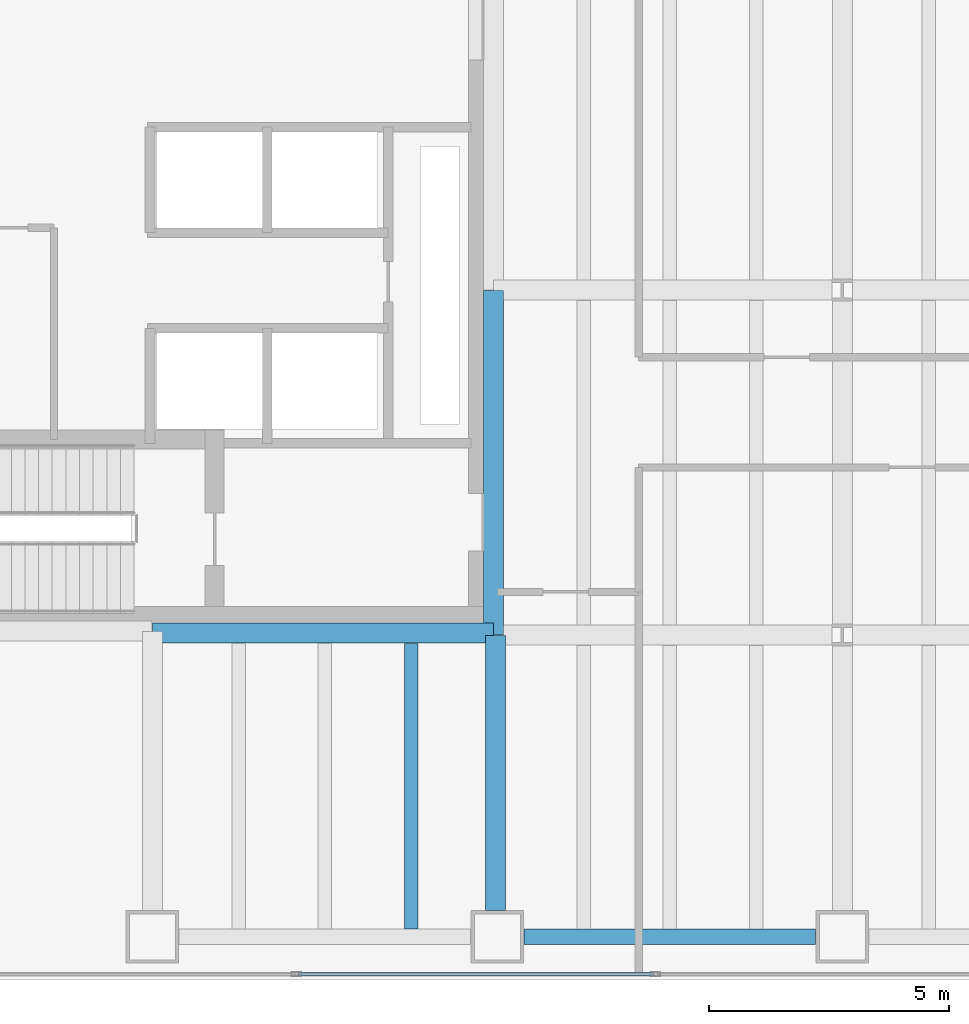
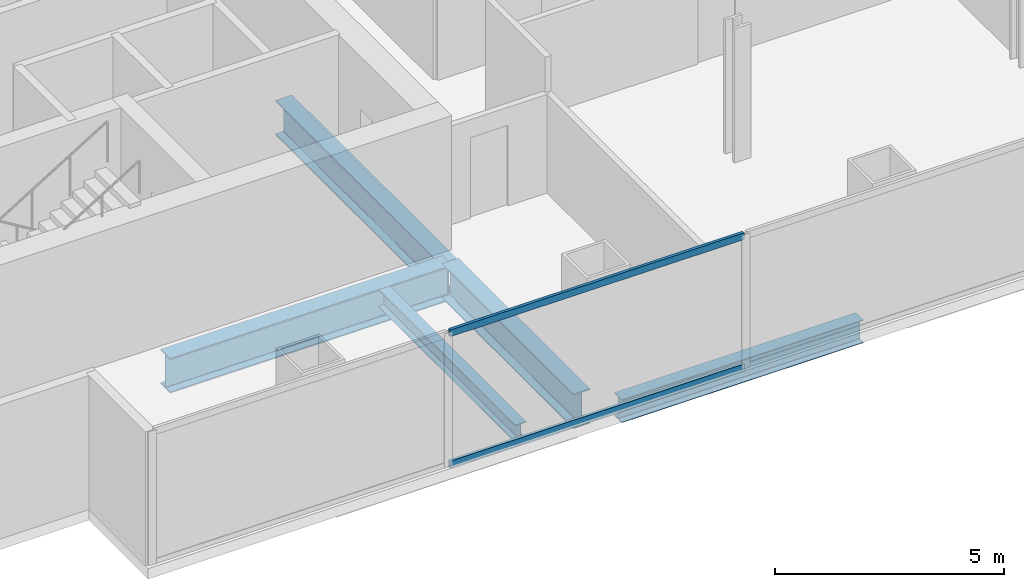
# One storey, part 3 of 23: 5 beams, 2 members, 1 element without a shape of its own.
"""IFC4 building model written with IfcOpenShell, lengths in metres."""

from ifc_helpers import new_model, si_unit, direction, frame, origin, origin_2d, place, context, subcontext, project, spatial, hollow_rectangle, i_section, extrude, material, material_profile, profile_set, type_object, element, aggregate, save


model = new_model("IFC4")

# Units and contexts
model_context = context("Model", 3, precision=1e-05, world=origin(), true_north=direction((0.0, 1.0)))
body_context = subcontext(model_context, "Body", "Model", "MODEL_VIEW")
ifc_project = project(units=[si_unit("LENGTHUNIT", "METRE"), si_unit("AREAUNIT", "SQUARE_METRE"), si_unit("VOLUMEUNIT", "CUBIC_METRE"), si_unit("PLANEANGLEUNIT", "RADIAN"), si_unit("MASSUNIT", "GRAM", prefix="KILO")], contexts=[model_context])

# Site, building, storey
site_placement = place(None, origin())
site = spatial("IfcSite", under=ifc_project, at=site_placement, CompositionType="ELEMENT")
building_placement = place(site_placement, origin())
building = spatial("IfcBuilding", under=site, at=building_placement, Name="Cobrela Telecom Tower", CompositionType="ELEMENT")
storey_placement = place(building_placement, frame((0.0, 0.0, 38.85009765625)))
storey = spatial("IfcBuildingStorey", under=building, at=storey_placement, Name="L09", CompositionType="ELEMENT", Elevation=38.85009765625)

# Beams
ifc_material_1 = material(Name="Steel ASTM A992 Grade 50", Category="steel")
ifc_material_profile_1 = material_profile(ifc_material_1, i_section(OverallWidth=0.4189453125, OverallDepth=0.927001953125, WebThickness=0.019287109375, FlangeThickness=0.031982421875, FilletRadius=0.02392578125, at=origin_2d()), Name="W36X231")
ifc_profile_set_1 = profile_set([ifc_material_profile_1], Name="Steel ASTM A992 Grade 50")
beam_type_1 = type_object("IfcBeamType", Name="BM-GIRD-02", PredefinedType="USERDEFINED", material=ifc_profile_set_1)
beam_1_placement = place(storey_placement, frame((7.205078125, 7.239990234375, -0.74365234375), z_axis=(1.0, 0.0, 0.0), x_axis=(0.0, 1.0, 0.0)))
element("IfcBeam", 1, at=beam_1_placement, inside=storey, type_object=beam_type_1, Name="L09 Primary Girder X07", ObjectType="GIRDER", PredefinedType="USERDEFINED", context=body_context, shape_type="SweptSolid", body=[
    extrude(i_section(OverallWidth=0.4189453125, OverallDepth=0.927001953125, WebThickness=0.019287109375, FlangeThickness=0.031982421875, FilletRadius=0.02392578125, at=origin_2d()), origin(), (0.0, 0.0, 1.0), 7.10986328125),
])
beam_2_placement = place(storey_placement, frame((14.360107421875, 1.455078125, -0.74365234375), z_axis=(0.0, 1.0, 0.0), x_axis=(-1.0, 0.0, 0.0)))
element("IfcBeam", 2, at=beam_2_placement, inside=storey, type_object=beam_type_1, Name="L09 Primary Girder Y34", ObjectType="GIRDER", PredefinedType="USERDEFINED", context=body_context, shape_type="SweptSolid", body=[
    extrude(i_section(OverallWidth=0.4189453125, OverallDepth=0.927001953125, WebThickness=0.019287109375, FlangeThickness=0.031982421875, FilletRadius=0.02392578125, at=origin_2d()), origin(), (0.0, 0.0, 1.0), 5.739990234375),
])
beam_3_placement = place(storey_placement, frame((14.320068359375, 7.205078125, -0.74365234375), z_axis=(0.0, 1.0, 0.0), x_axis=(-1.0, 0.0, 0.0)))
element("IfcBeam", 3, at=beam_3_placement, inside=storey, type_object=beam_type_1, Name="L09 Primary Girder Y35", ObjectType="GIRDER", PredefinedType="USERDEFINED", context=body_context, shape_type="SweptSolid", body=[
    extrude(i_section(OverallWidth=0.4189453125, OverallDepth=0.927001953125, WebThickness=0.019287109375, FlangeThickness=0.031982421875, FilletRadius=0.02392578125, at=origin_2d()), origin(), (0.0, 0.0, 1.0), 7.18994140625),
])
ifc_material_profile_2 = material_profile(ifc_material_1, i_section(OverallWidth=0.281982421875, OverallDepth=0.467041015625, WebThickness=0.01220703125, FlangeThickness=0.01953125, FilletRadius=0.012939453125, at=origin_2d()), Name="W18X86")
ifc_profile_set_2 = profile_set([ifc_material_profile_2], Name="Steel ASTM A992 Grade 50")
beam_type_2 = type_object("IfcBeamType", Name="BM-JOIST-02", PredefinedType="JOIST", material=ifc_profile_set_2)
beam_4_placement = place(storey_placement, frame((12.60009765625, 1.0673828125, -0.513671875), z_axis=(0.0, 1.0, 0.0), x_axis=(-1.0, 0.0, 0.0)))
element("IfcBeam", 4, at=beam_4_placement, inside=storey, type_object=beam_type_2, Name="L09 Secondary Composite Floor Beam J05", PredefinedType="JOIST", context=body_context, shape_type="SweptSolid", body=[
    extrude(i_section(OverallWidth=0.281982421875, OverallDepth=0.467041015625, WebThickness=0.01220703125, FlangeThickness=0.01953125, FilletRadius=0.012939453125, at=origin_2d()), origin(), (0.0, 0.0, 1.0), 5.9580078125),
])
ifc_material_profile_3 = material_profile(ifc_material_1, i_section(OverallWidth=0.324951171875, OverallDepth=0.612060546875, WebThickness=0.0126953125, FlangeThickness=0.01904296875, FilletRadius=0.014892578125, at=origin_2d()), Name="W24X104")
ifc_profile_set_3 = profile_set([ifc_material_profile_3], Name="Steel ASTM A992 Grade 50")
beam_type_3 = type_object("IfcBeamType", Name="BM-SPAND-02", PredefinedType="SPANDREL", material=ifc_profile_set_3)
beam_5_placement = place(storey_placement, frame((14.955078125, 0.89990234375, -0.586181640625), z_axis=(1.0, 0.0, 0.0), x_axis=(0.0, 1.0, 0.0)))
element("IfcBeam", 5, at=beam_5_placement, inside=storey, type_object=beam_type_3, Name="L09 Perimeter Spandrel X02", PredefinedType="SPANDREL", context=body_context, shape_type="SweptSolid", body=[
    extrude(i_section(OverallWidth=0.324951171875, OverallDepth=0.612060546875, WebThickness=0.0126953125, FlangeThickness=0.01904296875, FilletRadius=0.014892578125, at=origin_2d()), origin(), (0.0, 0.0, 1.0), 6.08984375),
])

# Curtain wall, members
ifc_material_2 = material(Name="Anodized Bronze Aluminium 6063-T6", Category="aluminium")
curtain_wall_type = type_object("IfcCurtainWallType", Name="CW-SYS-DATA", PredefinedType="USERDEFINED", material=ifc_material_2)
curtain_wall_placement = place(storey_placement, origin())
curtain_wall = element("IfcCurtainWall", 6, at=curtain_wall_placement, inside=storey, type_object=curtain_wall_type, Name="L09 Unitised Bronze Curtain Wall 17", ObjectType="UNITISED CURTAIN WALL", PredefinedType="USERDEFINED")
ifc_material_profile_4 = material_profile(ifc_material_2, hollow_rectangle(XDim=0.074951171875, YDim=0.179931640625, WallThickness=0.00390625, at=origin_2d()), Name="ALU 75x180x4")
ifc_profile_set_4 = profile_set([ifc_material_profile_4], Name="Anodized Bronze Aluminium 6063-T6")
member_type = type_object("IfcMemberType", Name="CW-SYS-DATA-TRN", PredefinedType="USERDEFINED", material=ifc_profile_set_4)
member_1_placement = place(storey_placement, frame((17.663330078125, 0.1201171875, 0.037353515625), z_axis=(-1.0, 0.0, 0.0), x_axis=(0.0, -1.0, 0.0)))
member_1 = element("IfcMember", 7, at=member_1_placement, type_object=member_type, Name="CW-DATA transom 5.1", ObjectType="TRANSOM", PredefinedType="USERDEFINED", context=body_context, shape_type="SweptSolid", body=[
    extrude(hollow_rectangle(XDim=0.074951171875, YDim=0.179931640625, WallThickness=0.00390625, at=origin_2d()), origin(), (0.0, 0.0, 1.0), 7.416748046875),
])
member_2_placement = place(storey_placement, frame((17.663330078125, 0.1201171875, 3.532470703125), z_axis=(-1.0, 0.0, 0.0), x_axis=(0.0, -1.0, 0.0)))
member_2 = element("IfcMember", 8, at=member_2_placement, type_object=member_type, Name="CW-DATA transom 5.2", ObjectType="TRANSOM", PredefinedType="USERDEFINED", context=body_context, shape_type="SweptSolid", body=[
    extrude(hollow_rectangle(XDim=0.074951171875, YDim=0.179931640625, WallThickness=0.00390625, at=origin_2d()), origin(), (0.0, 0.0, 1.0), 7.416748046875),
])
aggregate(curtain_wall, [member_1, member_2])

save(model, "model.ifc")
